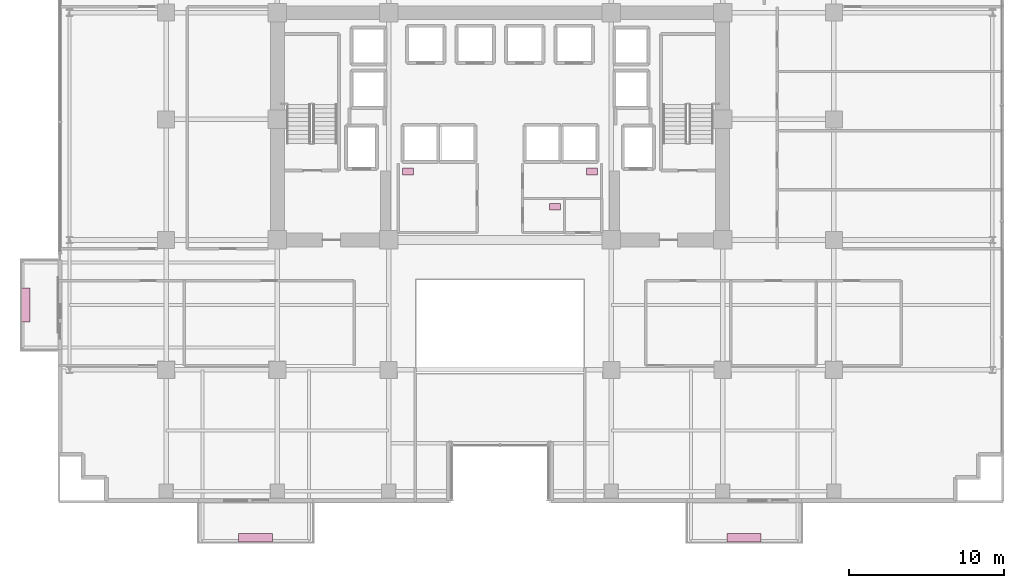
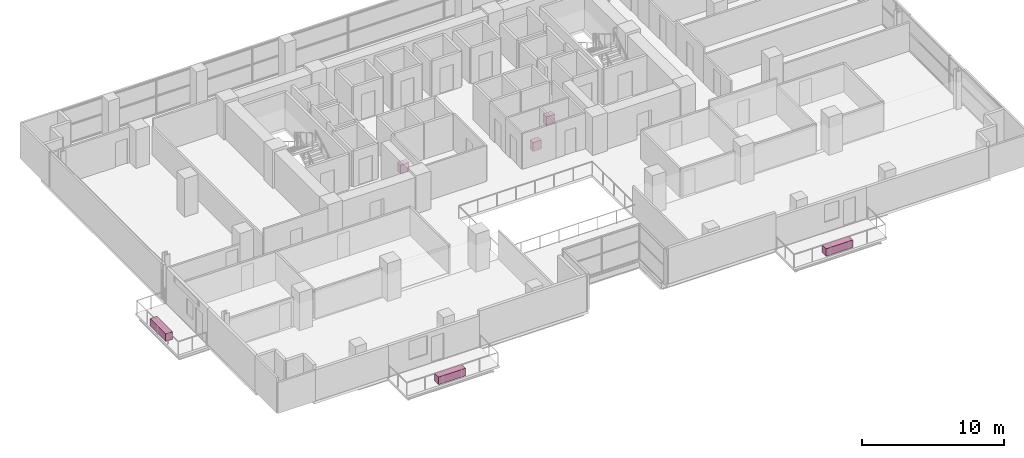
# One storey, part 32 of 32: 6 furnishings.
"""IFC4 building model written with IfcOpenShell, lengths in metres."""

from ifc_helpers import new_model, si_unit, direction, frame, origin, origin_2d, place, context, subcontext, project, spatial, rectangle, extrude, source, transform, mapped, material, type_object, element, save


model = new_model("IFC4")

# Units and contexts
model_context = context("Model", 3, precision=1e-05, world=origin(), true_north=direction((0.0, 1.0)))
body_context = subcontext(model_context, "Body", "Model", "MODEL_VIEW")
ifc_project = project(units=[si_unit("LENGTHUNIT", "METRE"), si_unit("AREAUNIT", "SQUARE_METRE"), si_unit("VOLUMEUNIT", "CUBIC_METRE"), si_unit("PLANEANGLEUNIT", "RADIAN"), si_unit("MASSUNIT", "GRAM", prefix="KILO")], contexts=[model_context])

# Site, building, storey
site_placement = place(None, origin())
site = spatial("IfcSite", under=ifc_project, at=site_placement, CompositionType="ELEMENT")
building_placement = place(site_placement, origin())
building = spatial("IfcBuilding", under=site, at=building_placement, Name="Zarnakvel Exchange Tower", CompositionType="ELEMENT")
storey_placement = place(building_placement, frame((0.0, 0.0, 73.60009765625)))
storey = spatial("IfcBuildingStorey", under=building, at=storey_placement, Name="L20", CompositionType="ELEMENT", Elevation=73.60009765625)

# Furnishings
ifc_material_1 = material(Name="Architectural Bronze Anodised Aluminium", Category="aluminium")
furnishing_element_type_1 = type_object("IfcFurnishingElementType", Name="PLNT-01", material=ifc_material_1)
shared_shape_1 = source(origin(), body_context, "Body", "SweptSolid", [
    extrude(rectangle(XDim=2.199951171875, YDim=0.550048828125, at=origin_2d()), origin(), (0.0, 0.0, 1.0), 0.64990234375),
])
for number, where, z_axis, x_axis, name in (
    (1, (-15.800048828125, -20.469970703125, -0.03515625), (0.0, 0.0, 1.0), (1.0, 0.0, 0.0), "L20 Balcony Greenery Planter BAL-L20-SW"),
    (2, (15.800048828125, -20.469970703125, -0.03515625), (0.0, 0.0, 1.0), (1.0, 0.0, 0.0), "L20 Balcony Greenery Planter BAL-L20-SE"),
    (3, (-30.669921875, -5.39990234375, -0.03515625), (0.0, 0.0, 1.0), (0.0, 1.0, 0.0), "L20 Balcony Greenery Planter BAL-L20-W"),
):
    element("IfcFurnishingElement", number, at=place(storey_placement, frame(where, z_axis=z_axis, x_axis=x_axis)), inside=storey, type_object=furnishing_element_type_1, Name=name, ObjectType="PLANTER", context=body_context, shape_type="MappedRepresentation", body=[
        mapped(shared_shape_1, transform((0.0, 0.0, 0.0), x_axis=(1.0, 0.0, 0.0), y_axis=(0.0, 1.0, 0.0), z_axis=(0.0, 0.0, 1.0), scale=1.0)),
    ])
ifc_material_2 = material(Name="Vitreous China Sanitaryware", Category="ceramic")
furnishing_element_type_2 = type_object("IfcFurnishingElementType", Name="SAN-WC", material=ifc_material_2)
shared_shape_2 = source(origin(), body_context, "Body", "SweptSolid", [
    extrude(rectangle(XDim=0.699951171875, YDim=0.449951171875, at=origin_2d()), origin(), (0.0, 0.0, 1.0), 0.780029296875),
])
for number, where, z_axis, x_axis, name in (
    (4, (-5.949951171875, 3.22998046875, 0.0), (0.0, 0.0, 1.0), (1.0, 0.0, 0.0), "L20 Sanitary Fixture (Male Toilet)"),
    (5, (5.949951171875, 3.22998046875, 0.0), (0.0, 0.0, 1.0), (1.0, 0.0, 0.0), "L20 Sanitary Fixture (Female Toilet)"),
    (6, (3.550048828125, 0.949951171875, 0.0), (0.0, 0.0, 1.0), (1.0, 0.0, 0.0), "L20 Sanitary Fixture (Accessible Toilet)"),
):
    element("IfcFurnishingElement", number, at=place(storey_placement, frame(where, z_axis=z_axis, x_axis=x_axis)), inside=storey, type_object=furnishing_element_type_2, Name=name, ObjectType="SANITARY_FIXTURE", context=body_context, shape_type="MappedRepresentation", body=[
        mapped(shared_shape_2, transform((0.0, 0.0, 0.0), x_axis=(1.0, 0.0, 0.0), y_axis=(0.0, 1.0, 0.0), z_axis=(0.0, 0.0, 1.0), scale=1.0)),
    ])

save(model, "model.ifc")
